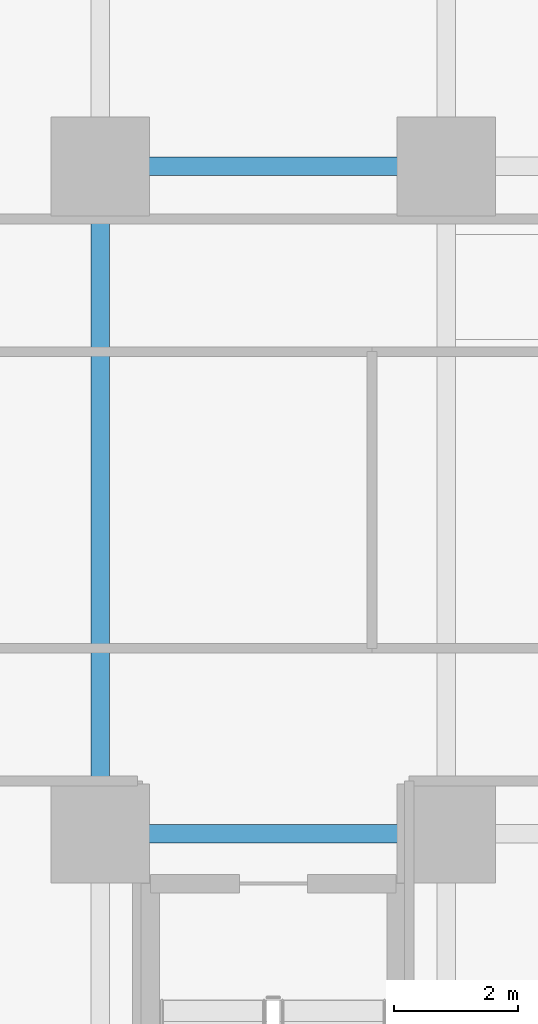
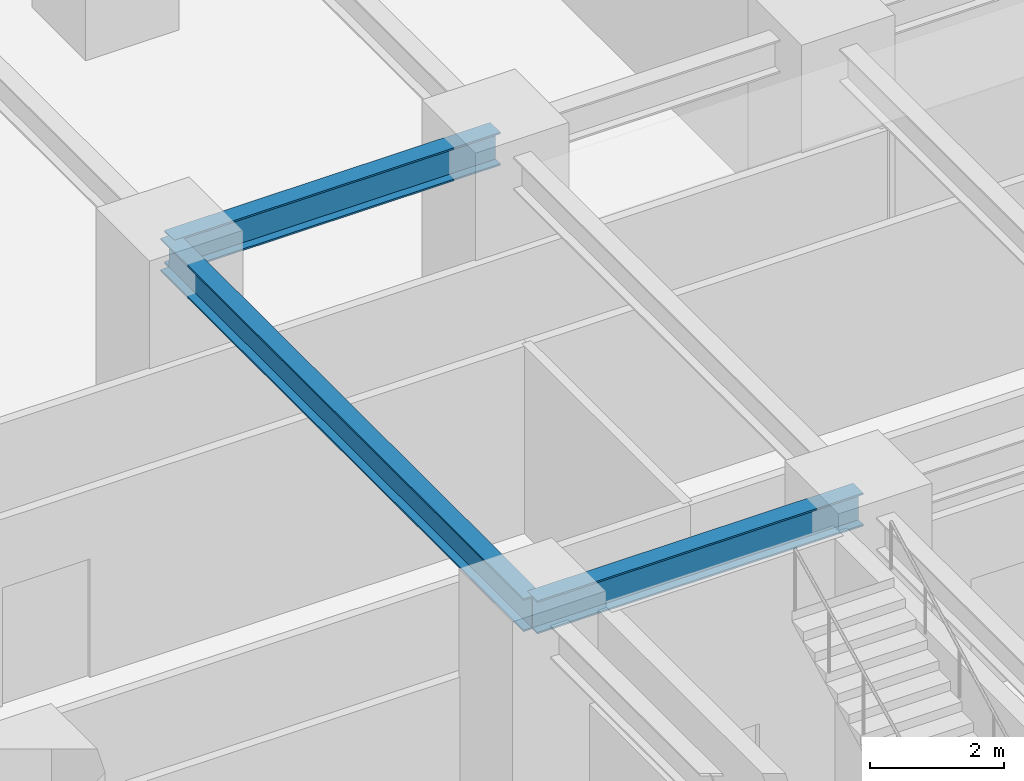
# One storey, part 9 of 32: 3 beams.
"""IFC4 building model written with IfcOpenShell, lengths in metres."""

import ifcopenshell
import ifcopenshell.guid

model = None  # the IFC model being written
_history = None  # IfcOwnerHistory: only IFC2X3 demands one
_inside = {}  # id of a spatial element -> (the spatial element, [elements in it])
_under = {}  # id of a project, library or spatial element -> (it, [spatial elements below it])
_declared = {}  # id of a project -> (the project, [libraries it declares])
_typed = {}  # id of a type object -> (the type object, [elements of that type])
_made_of = {}  # id of a material, layer set ... -> (it, [elements and type objects made of it])


def new_model(schema):
    """Start an empty IFC model of exactly this schema.

    Asked for "IFC4X3", IfcOpenShell would pick the latest addendum, in which some entities
    have other attributes; the version numbers below select the first issue.
    IFC2X3 requires an IfcOwnerHistory on every rooted entity: one is made here for all.
    """
    global model, _history
    if schema == "IFC4X3":
        model = ifcopenshell.file(schema_version=(4, 3, 0, 0))
    else:
        model = ifcopenshell.file(schema=schema)
    _inside.clear()
    _under.clear()
    _declared.clear()
    _typed.clear()
    _made_of.clear()
    _history = None
    if model.schema == "IFC2X3":
        org = make("IfcOrganization", Name="unknown")
        user = make(
            "IfcPersonAndOrganization",
            ThePerson=make("IfcPerson", FamilyName="unknown"),
            TheOrganization=org,
        )
        app = make(
            "IfcApplication",
            ApplicationDeveloper=org,
            Version="unknown",
            ApplicationFullName="unknown",
            ApplicationIdentifier="unknown",
        )
        _history = make(
            "IfcOwnerHistory",
            OwningUser=user,
            OwningApplication=app,
            ChangeAction="ADDED",
            CreationDate=0,
        )
    return model


def make(cls, **values):
    """One entity of the class cls with the attributes given. An attribute that is None is left unset."""
    return model.create_entity(
        cls, **{name: value for name, value in values.items() if value is not None}
    )


def rooted(cls, **values):
    """An entity with a GlobalId (a new one), such as an element, a storey or a relation."""
    return make(cls, GlobalId=ifcopenshell.guid.new(), OwnerHistory=_history, **values)


def si_unit(unit_type, name, prefix=None):
    """IfcSIUnit, for example si_unit("LENGTHUNIT", "METRE", prefix="MILLI")."""
    return make("IfcSIUnit", UnitType=unit_type, Prefix=prefix, Name=name)


def assignment(units):
    """IfcUnitAssignment: the units of a project."""
    return None if units is None else make("IfcUnitAssignment", Units=units)


def point(xyz):
    """IfcCartesianPoint."""
    return None if xyz is None else make("IfcCartesianPoint", Coordinates=xyz)


def direction(xyz):
    """IfcDirection."""
    return None if xyz is None else make("IfcDirection", DirectionRatios=xyz)


def frame(location, z_axis=None, x_axis=None):
    """IfcAxis2Placement3D, a coordinate frame: its origin and axes. An axis left out is left unset."""
    return make(
        "IfcAxis2Placement3D",
        Location=point(location),
        Axis=direction(z_axis),
        RefDirection=direction(x_axis),
    )


def frame_2d(location, x_axis=None):
    """IfcAxis2Placement2D, a coordinate frame in the plane: its origin and x axis."""
    return make(
        "IfcAxis2Placement2D", Location=point(location), RefDirection=direction(x_axis)
    )


def origin():
    """The frame at (0, 0, 0) with its axes left unset."""
    return frame((0.0, 0.0, 0.0))


def origin_2d():
    """The frame at (0, 0) in the plane with its x axis left unset."""
    return frame_2d((0.0, 0.0))


def place(relative_to, where):
    """IfcLocalPlacement: puts the frame where relative to a parent placement (None: the world)."""
    return make(
        "IfcLocalPlacement", PlacementRelTo=relative_to, RelativePlacement=where
    )


def context(
    kind, dimensions, precision=None, world=None, true_north=None, identifier=None
):
    """IfcGeometricRepresentationContext, for example the 3D "Model" context."""
    return make(
        "IfcGeometricRepresentationContext",
        ContextIdentifier=identifier,
        ContextType=kind,
        CoordinateSpaceDimension=dimensions,
        Precision=precision,
        WorldCoordinateSystem=world,
        TrueNorth=true_north,
    )


def subcontext(parent, identifier, kind, view, scale=None):
    """IfcGeometricRepresentationSubContext, for example "Body" below "Model"."""
    return make(
        "IfcGeometricRepresentationSubContext",
        ContextIdentifier=identifier,
        ContextType=kind,
        ParentContext=parent,
        TargetScale=scale,
        TargetView=view,
    )


def project(units=None, contexts=None):
    """IfcProject with its units and contexts."""
    return rooted(
        "IfcProject",
        Name="project",
        RepresentationContexts=contexts,
        UnitsInContext=assignment(units),
    )


def spatial(cls, under=None, at=None, **own):
    """A site, building, storey or space (cls), placed at a placement, below another one or the project."""
    s = rooted(cls, ObjectPlacement=at, **own)
    if under is not None:
        _under.setdefault(under.id(), (under, []))[1].append(s)
    return s


def profile(cls, at=None, kind="AREA", **sizes):
    """A parametric profile (cls). Its sizes go by their IFC names, for example OverallWidth=200.0."""
    return make(cls, ProfileType=kind, Position=at, **sizes)


def i_section(**sizes):
    """IfcIShapeProfileDef."""
    return profile("IfcIShapeProfileDef", **sizes)


def extrude(swept, where, along, depth):
    """IfcExtrudedAreaSolid: the profile swept, set in the frame where, extruded along a direction by depth."""
    return make(
        "IfcExtrudedAreaSolid",
        SweptArea=swept,
        Position=where,
        ExtrudedDirection=direction(along),
        Depth=depth,
    )


def shape(context_of_items, identifier, shape_type, items):
    """IfcShapeRepresentation: the items that make up one representation, for example the "Body"."""
    return make(
        "IfcShapeRepresentation",
        ContextOfItems=context_of_items,
        RepresentationIdentifier=identifier,
        RepresentationType=shape_type,
        Items=items,
    )


def source(mapping_origin, context_of_items, identifier, shape_type, items):
    """IfcRepresentationMap: a shape defined once, which mapped items show again and again."""
    return make(
        "IfcRepresentationMap",
        MappingOrigin=mapping_origin,
        MappedRepresentation=shape(context_of_items, identifier, shape_type, items),
    )


def transform(
    local_origin,
    x_axis=None,
    y_axis=None,
    z_axis=None,
    scale=None,
    scale2=None,
    scale3=None,
    uniform=True,
):
    """IfcCartesianTransformationOperator3D, or its non-uniform kind. x_axis, y_axis, z_axis: its Axis1, 2, 3."""
    if uniform:
        return make(
            "IfcCartesianTransformationOperator3D",
            Axis1=direction(x_axis),
            Axis2=direction(y_axis),
            LocalOrigin=point(local_origin),
            Scale=scale,
            Axis3=direction(z_axis),
        )
    return make(
        "IfcCartesianTransformationOperator3DnonUniform",
        Axis1=direction(x_axis),
        Axis2=direction(y_axis),
        LocalOrigin=point(local_origin),
        Scale=scale,
        Axis3=direction(z_axis),
        Scale2=scale2,
        Scale3=scale3,
    )


def mapped(mapping_source, mapping_target):
    """IfcMappedItem: shows the shape of a source again, moved by a transform."""
    return make(
        "IfcMappedItem", MappingSource=mapping_source, MappingTarget=mapping_target
    )


def material(Name=None, Category=None):
    """IfcMaterial."""
    return make("IfcMaterial", Name=Name, Category=Category)


def material_profile(
    of_material, cross_section, Name=None, Category=None, Priority=None
):
    """IfcMaterialProfile: a cross section and its material."""
    return make(
        "IfcMaterialProfile",
        Name=Name,
        Material=of_material,
        Profile=cross_section,
        Priority=Priority,
        Category=Category,
    )


def profile_set(profiles, Name=None, composite=None):
    """IfcMaterialProfileSet."""
    return make(
        "IfcMaterialProfileSet",
        Name=Name,
        MaterialProfiles=profiles,
        CompositeProfile=composite,
    )


def made_of(thing, what):
    """Note that an element or type object is made of a material, layer set ...; save() writes the relation."""
    if what is not None:
        _made_of.setdefault(what.id(), (what, []))[1].append(thing)
    return thing


def type_object(cls, material=None, **own):
    """A type object (cls), such as IfcWallType, which elements share."""
    return made_of(rooted(cls, **own), material)


def element(
    cls,
    number,
    at=None,
    inside=None,
    cuts=None,
    type_object=None,
    material=None,
    context=None,
    identifier="Body",
    shape_type=None,
    held_by="IfcProductDefinitionShape",
    body=None,
    shapes=None,
    **own,
):
    """One element of the class cls, such as IfcWall. Its Tag is "e" and its number.

    at: its placement. inside: the storey or other place that contains it. cuts: it is an
    opening in that element (IfcRelVoidsElement). A single representation is given by context,
    identifier, shape_type and body (its items); several are given by shapes. held_by: the class
    of the entity that holds the representations. save() writes the other relations.
    """
    e = rooted(cls, Tag="e%d" % number, ObjectPlacement=at, **own)
    if body is not None:
        shapes = [shape(context, identifier, shape_type, body)]
    if shapes is not None:
        e.Representation = make(held_by, Representations=shapes)
    if inside is not None:
        _inside.setdefault(inside.id(), (inside, []))[1].append(e)
    if cuts is not None:
        rooted(
            "IfcRelVoidsElement", RelatingBuildingElement=cuts, RelatedOpeningElement=e
        )
    if type_object is not None:
        _typed.setdefault(type_object.id(), (type_object, []))[1].append(e)
    return made_of(e, material)


def aggregate(whole, parts):
    """IfcRelAggregates: a whole, such as a stair, and the parts it consists of."""
    return rooted("IfcRelAggregates", RelatingObject=whole, RelatedObjects=parts)


def save(model, path):
    """Write the relations noted so far, then the file.

    IfcRelAggregates (storeys below a building ...), IfcRelContainedInSpatialStructure (elements
    in a storey), IfcRelDefinesByType, IfcRelAssociatesMaterial and IfcRelDeclares: one each for
    every whole, place, type object, material and project.
    """
    for whole, parts in _under.values():
        aggregate(whole, parts)
    for where, things in _inside.values():
        rooted(
            "IfcRelContainedInSpatialStructure",
            RelatedElements=things,
            RelatingStructure=where,
        )
    for kind, things in _typed.values():
        rooted("IfcRelDefinesByType", RelatedObjects=things, RelatingType=kind)
    for what, things in _made_of.values():
        rooted("IfcRelAssociatesMaterial", RelatedObjects=things, RelatingMaterial=what)
    for by, libraries in _declared.values():
        rooted("IfcRelDeclares", RelatingContext=by, RelatedDefinitions=libraries)
    model.write(path)


model = new_model("IFC4")

# Units and contexts
model_context = context("Model", 3, precision=1e-05, world=origin(), true_north=direction((0.0, 1.0)))
body_context = subcontext(model_context, "Body", "Model", "MODEL_VIEW")
ifc_project = project(units=[si_unit("LENGTHUNIT", "METRE"), si_unit("AREAUNIT", "SQUARE_METRE"), si_unit("VOLUMEUNIT", "CUBIC_METRE"), si_unit("PLANEANGLEUNIT", "RADIAN"), si_unit("MASSUNIT", "GRAM", prefix="KILO")], contexts=[model_context])

# Site, building, storey
site_placement = place(None, origin())
site = spatial("IfcSite", under=ifc_project, at=site_placement, CompositionType="ELEMENT")
building_placement = place(site_placement, origin())
building = spatial("IfcBuilding", under=site, at=building_placement, Name="Nahalor Promenade Grand Hotel", CompositionType="ELEMENT")
storey_placement = place(building_placement, frame((0.0, 0.0, 10.800048828125)))
storey = spatial("IfcBuildingStorey", under=building, at=storey_placement, Name="L02", CompositionType="ELEMENT", Elevation=10.800048828125)

# Beams
ifc_material = material(Name="Steel S355JR", Category="steel")
ifc_material_profile = material_profile(ifc_material, i_section(OverallWidth=0.3, OverallDepth=0.6, WebThickness=0.0155, FlangeThickness=0.03, at=origin_2d()), Name="HEB 600")
ifc_profile_set = profile_set([ifc_material_profile], Name="Steel S355JR")
beam_type = type_object("IfcBeamType", Name="Beam-Girder-HEB600", PredefinedType="BEAM", material=ifc_profile_set)
shared_shape_1 = source(origin(), body_context, "Body", "SweptSolid", [
    extrude(i_section(OverallWidth=0.3, OverallDepth=0.6, WebThickness=0.0155, FlangeThickness=0.03, at=origin_2d()), origin(), (0.0, 0.0, 1.0), 5.599853515625),
])
for number, where, z_axis, x_axis, name in (
    (1, (-8.39990234375, -5.39990234375, 4.760009765625), (1.0, 0.0, 0.0), (0.0, 1.0, 0.0), "BM-L02-GX-1-0"),
    (2, (-8.39990234375, 5.39990234375, 4.760009765625), (1.0, 0.0, 0.0), (0.0, 1.0, 0.0), "BM-L02-GX-2-0"),
):
    element("IfcBeam", number, at=place(storey_placement, frame(where, z_axis=z_axis, x_axis=x_axis)), inside=storey, type_object=beam_type, Name=name, PredefinedType="BEAM", context=body_context, shape_type="MappedRepresentation", body=[
        mapped(shared_shape_1, transform((0.0, 0.0, 0.0), scale=1.0)),
    ])
shared_shape_2 = source(origin(), body_context, "Body", "SweptSolid", [
    extrude(i_section(OverallWidth=0.3, OverallDepth=0.6, WebThickness=0.0155, FlangeThickness=0.03, at=origin_2d()), origin(), (0.0, 0.0, 1.0), 10.7998046875),
])
beam_placement = place(storey_placement, frame((-8.39990234375, -5.39990234375, 4.760009765625), z_axis=(0.0, 1.0, 0.0), x_axis=(-1.0, 0.0, 0.0)))
element("IfcBeam", 3, at=beam_placement, inside=storey, type_object=beam_type, Name="BM-L02-GY-1-2", PredefinedType="BEAM", context=body_context, shape_type="MappedRepresentation", body=[
    mapped(shared_shape_2, transform((0.0, 0.0, 0.0), scale=1.0)),
])

save(model, "model.ifc")
